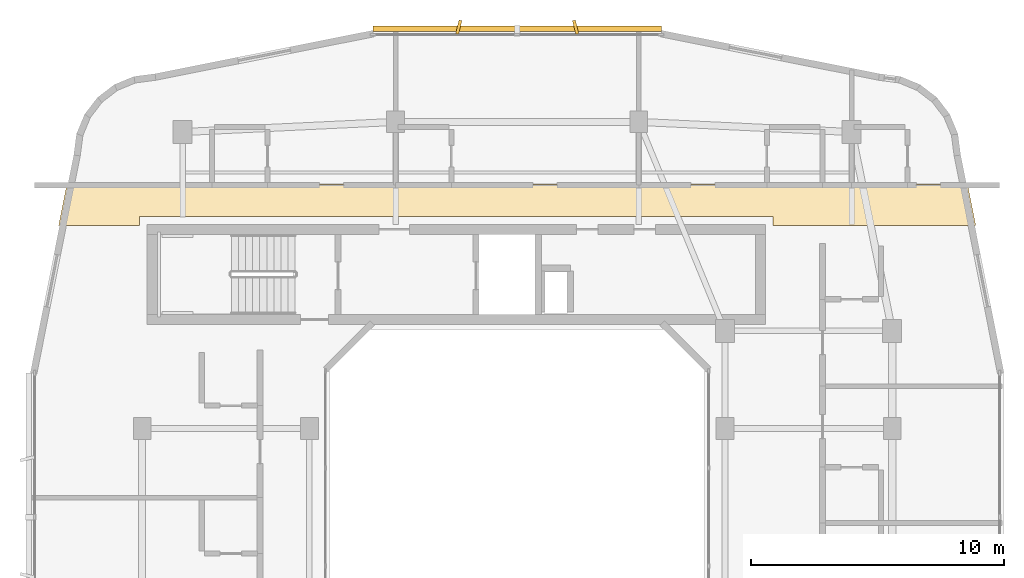
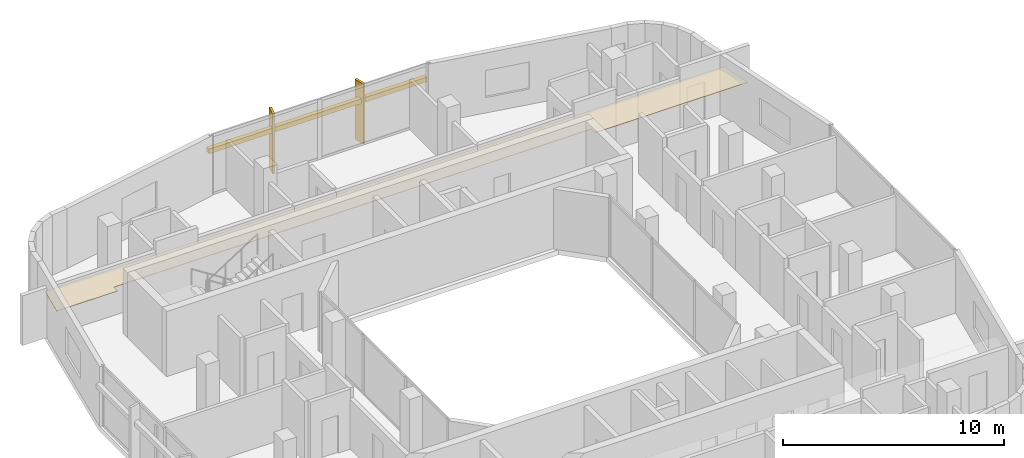
# One storey, part 14 of 14: 3 shading devices, 1 covering.
"""IFC4 building model written with IfcOpenShell, lengths in metres."""

import ifcopenshell
import ifcopenshell.guid

model = None  # the IFC model being written
_history = None  # IfcOwnerHistory: only IFC2X3 demands one
_inside = {}  # id of a spatial element -> (the spatial element, [elements in it])
_under = {}  # id of a project, library or spatial element -> (it, [spatial elements below it])
_declared = {}  # id of a project -> (the project, [libraries it declares])
_typed = {}  # id of a type object -> (the type object, [elements of that type])
_made_of = {}  # id of a material, layer set ... -> (it, [elements and type objects made of it])


def new_model(schema):
    """Start an empty IFC model of exactly this schema.

    Asked for "IFC4X3", IfcOpenShell would pick the latest addendum, in which some entities
    have other attributes; the version numbers below select the first issue.
    IFC2X3 requires an IfcOwnerHistory on every rooted entity: one is made here for all.
    """
    global model, _history
    if schema == "IFC4X3":
        model = ifcopenshell.file(schema_version=(4, 3, 0, 0))
    else:
        model = ifcopenshell.file(schema=schema)
    _inside.clear()
    _under.clear()
    _declared.clear()
    _typed.clear()
    _made_of.clear()
    _history = None
    if model.schema == "IFC2X3":
        org = make("IfcOrganization", Name="unknown")
        user = make(
            "IfcPersonAndOrganization",
            ThePerson=make("IfcPerson", FamilyName="unknown"),
            TheOrganization=org,
        )
        app = make(
            "IfcApplication",
            ApplicationDeveloper=org,
            Version="unknown",
            ApplicationFullName="unknown",
            ApplicationIdentifier="unknown",
        )
        _history = make(
            "IfcOwnerHistory",
            OwningUser=user,
            OwningApplication=app,
            ChangeAction="ADDED",
            CreationDate=0,
        )
    return model


def make(cls, **values):
    """One entity of the class cls with the attributes given. An attribute that is None is left unset."""
    return model.create_entity(
        cls, **{name: value for name, value in values.items() if value is not None}
    )


def rooted(cls, **values):
    """An entity with a GlobalId (a new one), such as an element, a storey or a relation."""
    return make(cls, GlobalId=ifcopenshell.guid.new(), OwnerHistory=_history, **values)


def si_unit(unit_type, name, prefix=None):
    """IfcSIUnit, for example si_unit("LENGTHUNIT", "METRE", prefix="MILLI")."""
    return make("IfcSIUnit", UnitType=unit_type, Prefix=prefix, Name=name)


def derived_unit(unit_type, elements):
    """IfcDerivedUnit: a product of units, each with its exponent."""
    return make(
        "IfcDerivedUnit",
        Elements=[
            make("IfcDerivedUnitElement", Unit=unit, Exponent=power)
            for unit, power in elements
        ],
        UnitType=unit_type,
    )


def assignment(units):
    """IfcUnitAssignment: the units of a project."""
    return None if units is None else make("IfcUnitAssignment", Units=units)


def point(xyz):
    """IfcCartesianPoint."""
    return None if xyz is None else make("IfcCartesianPoint", Coordinates=xyz)


def direction(xyz):
    """IfcDirection."""
    return None if xyz is None else make("IfcDirection", DirectionRatios=xyz)


def frame(location, z_axis=None, x_axis=None):
    """IfcAxis2Placement3D, a coordinate frame: its origin and axes. An axis left out is left unset."""
    return make(
        "IfcAxis2Placement3D",
        Location=point(location),
        Axis=direction(z_axis),
        RefDirection=direction(x_axis),
    )


def frame_2d(location, x_axis=None):
    """IfcAxis2Placement2D, a coordinate frame in the plane: its origin and x axis."""
    return make(
        "IfcAxis2Placement2D", Location=point(location), RefDirection=direction(x_axis)
    )


def origin():
    """The frame at (0, 0, 0) with its axes left unset."""
    return frame((0.0, 0.0, 0.0))


def origin_2d():
    """The frame at (0, 0) in the plane with its x axis left unset."""
    return frame_2d((0.0, 0.0))


def place(relative_to, where):
    """IfcLocalPlacement: puts the frame where relative to a parent placement (None: the world)."""
    return make(
        "IfcLocalPlacement", PlacementRelTo=relative_to, RelativePlacement=where
    )


def context(
    kind, dimensions, precision=None, world=None, true_north=None, identifier=None
):
    """IfcGeometricRepresentationContext, for example the 3D "Model" context."""
    return make(
        "IfcGeometricRepresentationContext",
        ContextIdentifier=identifier,
        ContextType=kind,
        CoordinateSpaceDimension=dimensions,
        Precision=precision,
        WorldCoordinateSystem=world,
        TrueNorth=true_north,
    )


def subcontext(parent, identifier, kind, view, scale=None):
    """IfcGeometricRepresentationSubContext, for example "Body" below "Model"."""
    return make(
        "IfcGeometricRepresentationSubContext",
        ContextIdentifier=identifier,
        ContextType=kind,
        ParentContext=parent,
        TargetScale=scale,
        TargetView=view,
    )


def project(units=None, contexts=None):
    """IfcProject with its units and contexts."""
    return rooted(
        "IfcProject",
        Name="project",
        RepresentationContexts=contexts,
        UnitsInContext=assignment(units),
    )


def spatial(cls, under=None, at=None, **own):
    """A site, building, storey or space (cls), placed at a placement, below another one or the project."""
    s = rooted(cls, ObjectPlacement=at, **own)
    if under is not None:
        _under.setdefault(under.id(), (under, []))[1].append(s)
    return s


def polyline(points):
    """IfcPolyline through the points."""
    return make("IfcPolyline", Points=[point(p) for p in points])


def profile(cls, at=None, kind="AREA", **sizes):
    """A parametric profile (cls). Its sizes go by their IFC names, for example OverallWidth=200.0."""
    return make(cls, ProfileType=kind, Position=at, **sizes)


def rectangle(**sizes):
    """IfcRectangleProfileDef."""
    return profile("IfcRectangleProfileDef", **sizes)


def outline(outer, holes=None, kind="AREA"):
    """IfcArbitraryClosedProfileDef: a profile drawn as a closed curve; with holes, ...WithVoids."""
    if holes is None:
        return make("IfcArbitraryClosedProfileDef", ProfileType=kind, OuterCurve=outer)
    return make(
        "IfcArbitraryProfileDefWithVoids",
        ProfileType=kind,
        OuterCurve=outer,
        InnerCurves=holes,
    )


def extrude(swept, where, along, depth):
    """IfcExtrudedAreaSolid: the profile swept, set in the frame where, extruded along a direction by depth."""
    return make(
        "IfcExtrudedAreaSolid",
        SweptArea=swept,
        Position=where,
        ExtrudedDirection=direction(along),
        Depth=depth,
    )


def shape(context_of_items, identifier, shape_type, items):
    """IfcShapeRepresentation: the items that make up one representation, for example the "Body"."""
    return make(
        "IfcShapeRepresentation",
        ContextOfItems=context_of_items,
        RepresentationIdentifier=identifier,
        RepresentationType=shape_type,
        Items=items,
    )


def material(Name=None, Category=None):
    """IfcMaterial."""
    return make("IfcMaterial", Name=Name, Category=Category)


def layer(
    of_material, thickness, ventilated=None, Name=None, Category=None, Priority=None
):
    """IfcMaterialLayer: one layer of a wall or slab, of a material (None: an air gap)."""
    return make(
        "IfcMaterialLayer",
        Material=of_material,
        LayerThickness=thickness,
        IsVentilated=ventilated,
        Name=Name,
        Category=Category,
        Priority=Priority,
    )


def layer_set(layers, Name=None):
    """IfcMaterialLayerSet."""
    return make("IfcMaterialLayerSet", MaterialLayers=layers, LayerSetName=Name)


def made_of(thing, what):
    """Note that an element or type object is made of a material, layer set ...; save() writes the relation."""
    if what is not None:
        _made_of.setdefault(what.id(), (what, []))[1].append(thing)
    return thing


def type_object(cls, material=None, **own):
    """A type object (cls), such as IfcWallType, which elements share."""
    return made_of(rooted(cls, **own), material)


def element(
    cls,
    number,
    at=None,
    inside=None,
    cuts=None,
    type_object=None,
    material=None,
    context=None,
    identifier="Body",
    shape_type=None,
    held_by="IfcProductDefinitionShape",
    body=None,
    shapes=None,
    **own,
):
    """One element of the class cls, such as IfcWall. Its Tag is "e" and its number.

    at: its placement. inside: the storey or other place that contains it. cuts: it is an
    opening in that element (IfcRelVoidsElement). A single representation is given by context,
    identifier, shape_type and body (its items); several are given by shapes. held_by: the class
    of the entity that holds the representations. save() writes the other relations.
    """
    e = rooted(cls, Tag="e%d" % number, ObjectPlacement=at, **own)
    if body is not None:
        shapes = [shape(context, identifier, shape_type, body)]
    if shapes is not None:
        e.Representation = make(held_by, Representations=shapes)
    if inside is not None:
        _inside.setdefault(inside.id(), (inside, []))[1].append(e)
    if cuts is not None:
        rooted(
            "IfcRelVoidsElement", RelatingBuildingElement=cuts, RelatedOpeningElement=e
        )
    if type_object is not None:
        _typed.setdefault(type_object.id(), (type_object, []))[1].append(e)
    return made_of(e, material)


def aggregate(whole, parts):
    """IfcRelAggregates: a whole, such as a stair, and the parts it consists of."""
    return rooted("IfcRelAggregates", RelatingObject=whole, RelatedObjects=parts)


def save(model, path):
    """Write the relations noted so far, then the file.

    IfcRelAggregates (storeys below a building ...), IfcRelContainedInSpatialStructure (elements
    in a storey), IfcRelDefinesByType, IfcRelAssociatesMaterial and IfcRelDeclares: one each for
    every whole, place, type object, material and project.
    """
    for whole, parts in _under.values():
        aggregate(whole, parts)
    for where, things in _inside.values():
        rooted(
            "IfcRelContainedInSpatialStructure",
            RelatedElements=things,
            RelatingStructure=where,
        )
    for kind, things in _typed.values():
        rooted("IfcRelDefinesByType", RelatedObjects=things, RelatingType=kind)
    for what, things in _made_of.values():
        rooted("IfcRelAssociatesMaterial", RelatedObjects=things, RelatingMaterial=what)
    for by, libraries in _declared.values():
        rooted("IfcRelDeclares", RelatingContext=by, RelatedDefinitions=libraries)
    model.write(path)


model = new_model("IFC4")

# Units and contexts
model_context = context("Model", 3, precision=1e-05, world=origin(), true_north=direction((0.0, 1.0)))
body_context = subcontext(model_context, "Body", "Model", "MODEL_VIEW")
ifc_project = project(units=[si_unit("LENGTHUNIT", "METRE"), si_unit("AREAUNIT", "SQUARE_METRE"), si_unit("VOLUMEUNIT", "CUBIC_METRE"), si_unit("PLANEANGLEUNIT", "RADIAN"), si_unit("MASSUNIT", "GRAM", prefix="KILO"), derived_unit("THERMALTRANSMITTANCEUNIT", [(si_unit("POWERUNIT", "WATT"), 1), (si_unit("LENGTHUNIT", "METRE"), -2), (si_unit("THERMODYNAMICTEMPERATUREUNIT", "KELVIN"), -1)])], contexts=[model_context])

# Site, building, storey
site_placement = place(None, origin())
site = spatial("IfcSite", under=ifc_project, at=site_placement, CompositionType="ELEMENT")
building_placement = place(site_placement, origin())
building = spatial("IfcBuilding", under=site, at=building_placement, Name="Kivonza Crest Hotel", CompositionType="ELEMENT")
storey_placement = place(building_placement, frame((0.0, 0.0, 227.89990234375)))
storey = spatial("IfcBuildingStorey", under=building, at=storey_placement, Name="L62", CompositionType="ELEMENT", Elevation=227.89990234375)

# Covering
ifc_material_1 = material(Name="Moisture-resistant gypsum plasterboard ceiling", Category="gypsum")
ifc_layer = layer(ifc_material_1, 0.030029296875)
ifc_layer_set = layer_set([ifc_layer], Name="Moisture-resistant gypsum plasterboard ceiling")
covering_type = type_object("IfcCoveringType", Name="CV-CEIL-GYP", PredefinedType="CEILING", material=ifc_layer_set)
covering_placement = place(storey_placement, frame((0.0, 0.0, 2.4501953125)))
element("IfcCovering", 1, at=covering_placement, inside=storey, type_object=covering_type, Name="L62 Hotel North Guest Corridor suspended ceiling", PredefinedType="CEILING", context=body_context, shape_type="SweptSolid", body=[
    extrude(outline(polyline([(3.22802734375, 38.139892578125), (2.906005859375, 36.52001953125), (6.10009765625, 36.52001953125), (6.10009765625, 36.860107421875), (31.10009765625, 36.860107421875), (31.10009765625, 36.52001953125), (39.093994140625, 36.52001953125), (38.77197265625, 38.139892578125), (3.22802734375, 38.139892578125)])), origin(), (0.0, 0.0, 1.0), 0.02978515625),
])

# Shading devices
ifc_material_2 = material(Name="Kiln-fired Nairobi red-ochre terracotta", Category="masonry")
shading_device_type_1 = type_object("IfcShadingDeviceType", Name="SH-BAGUETTE-300", PredefinedType="USERDEFINED", material=ifc_material_2)
shading_device_placement = place(storey_placement, frame((21.0, 44.280029296875, 2.1943359375), z_axis=(0.0, 0.0, 1.0), x_axis=(-1.0, 0.0, 0.0)))
element("IfcShadingDevice", 2, at=shading_device_placement, inside=storey, type_object=shading_device_type_1, Name="L62 terracotta baguette screen CW-T1-L62-26", ObjectType="BAGUETTE", PredefinedType="USERDEFINED", context=body_context, shape_type="SweptSolid", body=[
    extrude(rectangle(XDim=11.39990234375, YDim=0.219970703125, at=origin_2d()), origin(), (0.0, 0.0, 1.0), 0.260009765625),
])
ifc_material_3 = material(Name="Kiln-fired terracotta over extruded aluminium spine", Category="masonry")
shading_device_type_2 = type_object("IfcShadingDeviceType", Name="SH-FIN-550", PredefinedType="USERDEFINED", material=ifc_material_3)
for number, where, z_axis, x_axis, name in (
    (3, (23.303955078125, 44.340087890625, 0.0), (0.0, 0.0, 1.0), (-0.970295726276, -0.2419218956, 0.0), "L62 vertical solar shading fin CW-T1-L62-26-1"),
    (4, (18.696044921875, 44.340087890625, 0.0), (0.0, 0.0, 1.0), (-0.970295726276, 0.2419218956, 0.0), "L62 vertical solar shading fin CW-T1-L62-26-2"),
):
    element("IfcShadingDevice", number, at=place(storey_placement, frame(where, z_axis=z_axis, x_axis=x_axis)), inside=storey, type_object=shading_device_type_2, Name=name, ObjectType="FIN", PredefinedType="USERDEFINED", context=body_context, shape_type="SweptSolid", body=[
        extrude(rectangle(XDim=0.1201171875, YDim=0.550048828125, at=origin_2d()), origin(), (0.0, 0.0, 1.0), 3.320068359375),
    ])

save(model, "model.ifc")
